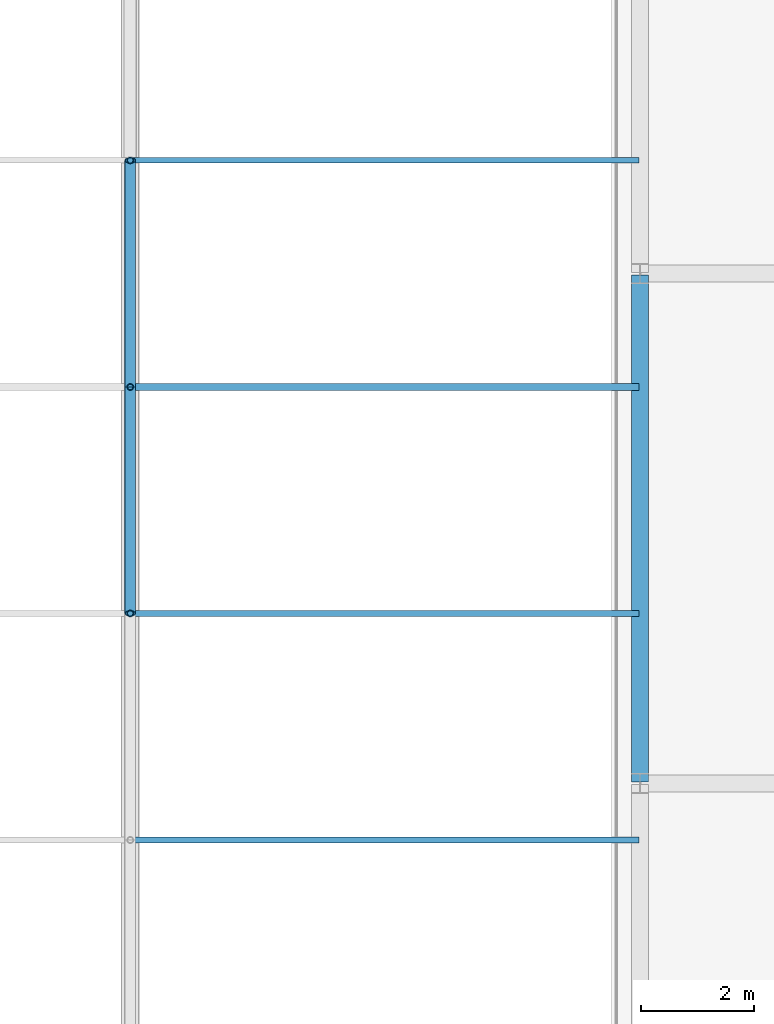
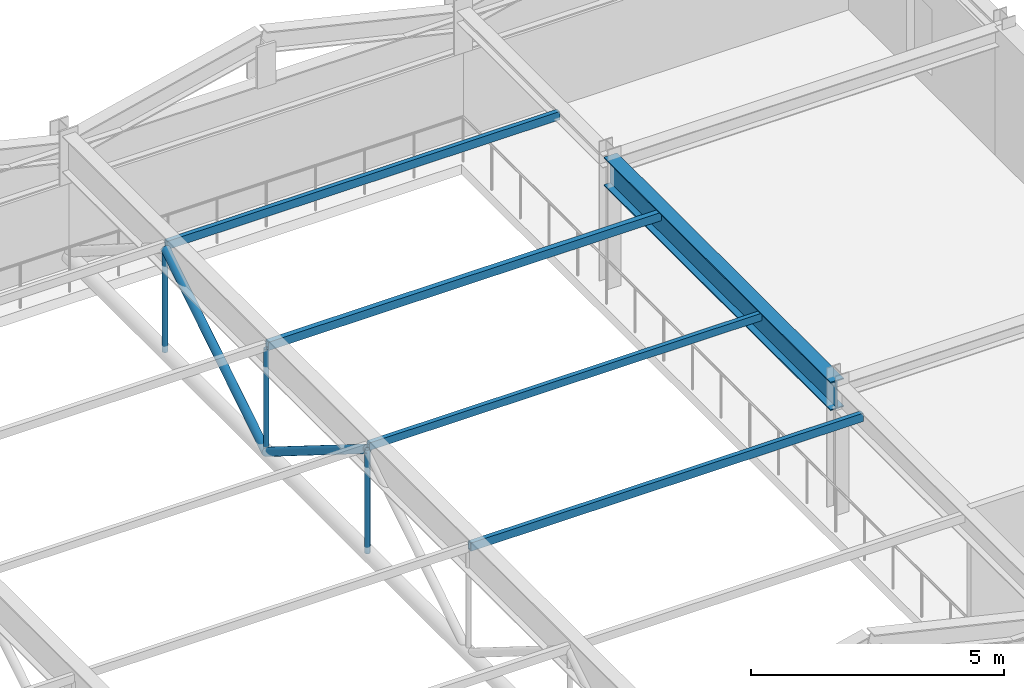
# One storey, part 40 of 91: 9 members, 1 beam.
"""IFC4 building model written with IfcOpenShell, lengths in metres."""

from ifc_helpers import new_model, si_unit, direction, frame, origin, origin_2d, place, context, subcontext, project, spatial, hollow_rectangle, hollow_circle, i_section, extrude, material, material_profile, profile_set, type_object, element, save


model = new_model("IFC4")

# Units and contexts
model_context = context("Model", 3, precision=1e-05, world=origin(), true_north=direction((0.0, 1.0)))
body_context = subcontext(model_context, "Body", "Model", "MODEL_VIEW")
ifc_project = project(units=[si_unit("LENGTHUNIT", "METRE"), si_unit("AREAUNIT", "SQUARE_METRE"), si_unit("VOLUMEUNIT", "CUBIC_METRE"), si_unit("PLANEANGLEUNIT", "RADIAN"), si_unit("MASSUNIT", "GRAM", prefix="KILO")], contexts=[model_context])

# Site, building, storey
site_placement = place(None, origin())
site = spatial("IfcSite", under=ifc_project, at=site_placement, CompositionType="ELEMENT")
building_placement = place(site_placement, origin())
building = spatial("IfcBuilding", under=site, at=building_placement, Name="Palais des Congres Ocreval", CompositionType="ELEMENT")
storey_placement = place(building_placement, frame((0.0, 0.0, 8.159912109375)))
storey = spatial("IfcBuildingStorey", under=building, at=storey_placement, Name="L02", CompositionType="ELEMENT", Elevation=8.159912109375)

# Members
ifc_material = material(Name="Steel S355", Category="steel")
ifc_material_profile_1 = material_profile(ifc_material, hollow_circle(Radius=0.096923828125, WallThickness=0.010009765625, at=origin_2d()), Name="CHS 193.7x10")
ifc_profile_set_1 = profile_set([ifc_material_profile_1], Name="Steel S355")
member_type_1 = type_object("IfcMemberType", Name="Diagonal Brace CHS 193.7x10 Steel S355", PredefinedType="BRACE", material=ifc_profile_set_1)
for number, where, z_axis, x_axis, name in (
    (1, (36.0, 102.0, 2.7900390625), (0.0, 0.847998304005, -0.529998940003), (-1.0, 0.0, 0.0), "ROOF TRUSS Diagonal V1-36-4"),
    (2, (36.0, 106.0, 0.2900390625), (0.0, 0.847998304005, 0.529998940003), (-1.0, 0.0, 0.0), "ROOF TRUSS Diagonal V1-36-5"),
):
    element("IfcMember", number, at=place(storey_placement, frame(where, z_axis=z_axis, x_axis=x_axis)), inside=storey, type_object=member_type_1, Name=name, PredefinedType="BRACE", context=body_context, shape_type="SweptSolid", body=[
        extrude(hollow_circle(Radius=0.096923828125, WallThickness=0.010009765625, at=origin_2d()), origin(), (0.0, 0.0, 1.0), 4.717041015625),
    ])

# Beam
ifc_material_profile_2 = material_profile(ifc_material, i_section(OverallWidth=0.300048828125, OverallDepth=0.68994140625, WebThickness=0.014404296875, FlangeThickness=0.027099609375, at=origin_2d()), Name="HEA 700")
ifc_profile_set_2 = profile_set([ifc_material_profile_2], Name="Steel S355")
beam_type = type_object("IfcBeamType", Name="Primary Girder HEA 700 Steel S355", PredefinedType="BEAM", material=ifc_profile_set_2)
beam_placement = place(storey_placement, frame((45.0, 99.02001953125, 2.755126953125), z_axis=(0.0, 1.0, 0.0), x_axis=(-1.0, 0.0, 0.0)))
element("IfcBeam", 3, at=beam_placement, inside=storey, type_object=beam_type, Name="Girder B14 L02", PredefinedType="BEAM", context=body_context, shape_type="SweptSolid", body=[
    extrude(i_section(OverallWidth=0.300048828125, OverallDepth=0.68994140625, WebThickness=0.014404296875, FlangeThickness=0.027099609375, at=origin_2d()), origin(), (0.0, 0.0, 1.0), 8.9599609375),
])

# Members
ifc_material_profile_3 = material_profile(ifc_material, hollow_rectangle(XDim=0.10009765625, YDim=0.179931640625, WallThickness=0.008056640625, at=origin_2d()), Name="RHS 180x100x8")
ifc_profile_set_3 = profile_set([ifc_material_profile_3], Name="Steel S355")
member_type_2 = type_object("IfcMemberType", Name="Roof Purlin RHS 180x100x8 Steel S355", PredefinedType="PURLIN", material=ifc_profile_set_3)
member_1_placement = place(storey_placement, frame((36.02001953125, 102.0, 2.860107421875), z_axis=(1.0, 0.0, 0.0), x_axis=(0.0, 1.0, 0.0)))
element("IfcMember", 4, at=member_1_placement, inside=storey, type_object=member_type_2, Name="Roof Purlin PU03 V1", PredefinedType="PURLIN", context=body_context, shape_type="SweptSolid", body=[
    extrude(hollow_rectangle(XDim=0.10009765625, YDim=0.179931640625, WallThickness=0.008056640625, at=origin_2d()), origin(), (0.0, 0.0, 1.0), 8.9599609375),
])
ifc_material_profile_4 = material_profile(ifc_material, hollow_rectangle(XDim=0.10009765625, YDim=0.199951171875, WallThickness=0.010009765625, at=origin_2d()), Name="RHS 200x100x10")
ifc_profile_set_4 = profile_set([ifc_material_profile_4], Name="Steel S355")
member_type_3 = type_object("IfcMemberType", Name="Roof Purlin RHS 200x100x10 Steel S355", PredefinedType="PURLIN", material=ifc_profile_set_4)
for number, where, z_axis, x_axis, name in (
    (5, (36.02001953125, 98.0, 2.860107421875), (1.0, 0.0, 0.0), (0.0, 1.0, 0.0), "Roof Purlin PU02 V1"),
    (6, (36.02001953125, 110.0, 2.860107421875), (1.0, 0.0, 0.0), (0.0, 1.0, 0.0), "Roof Purlin PU02 V1"),
):
    element("IfcMember", number, at=place(storey_placement, frame(where, z_axis=z_axis, x_axis=x_axis)), inside=storey, type_object=member_type_3, Name=name, PredefinedType="PURLIN", context=body_context, shape_type="SweptSolid", body=[
        extrude(hollow_rectangle(XDim=0.10009765625, YDim=0.199951171875, WallThickness=0.010009765625, at=origin_2d()), origin(), (0.0, 0.0, 1.0), 8.9599609375),
    ])
ifc_material_profile_5 = material_profile(ifc_material, hollow_rectangle(XDim=0.1201171875, YDim=0.199951171875, WallThickness=0.010009765625, at=origin_2d()), Name="RHS 200x120x10")
ifc_profile_set_5 = profile_set([ifc_material_profile_5], Name="Steel S355")
member_type_4 = type_object("IfcMemberType", Name="Roof Purlin RHS 200x120x10 Steel S355", PredefinedType="PURLIN", material=ifc_profile_set_5)
member_2_placement = place(storey_placement, frame((36.02001953125, 106.0, 2.860107421875), z_axis=(1.0, 0.0, 0.0), x_axis=(0.0, 1.0, 0.0)))
element("IfcMember", 7, at=member_2_placement, inside=storey, type_object=member_type_4, Name="Roof Purlin PU01 V1", PredefinedType="PURLIN", context=body_context, shape_type="SweptSolid", body=[
    extrude(hollow_rectangle(XDim=0.1201171875, YDim=0.199951171875, WallThickness=0.010009765625, at=origin_2d()), origin(), (0.0, 0.0, 1.0), 8.9599609375),
])
ifc_material_profile_6 = material_profile(ifc_material, hollow_circle(Radius=0.05712890625, WallThickness=0.00634765625, at=origin_2d()), Name="CHS 114.3x6.3")
ifc_profile_set_6 = profile_set([ifc_material_profile_6], Name="Steel S355")
member_type_5 = type_object("IfcMemberType", Name="Truss Strut CHS 114.3x6.3 Steel S355", PredefinedType="STRUT", material=ifc_profile_set_6)
for number, where, z_axis, x_axis, name in (
    (8, (36.0, 102.0, 0.2900390625), (0.0, 0.0, 1.0), (1.0, 0.0, 0.0), "ROOF TRUSS Vertical Strut V1-36-3"),
    (9, (36.0, 106.0, 0.2900390625), (0.0, 0.0, 1.0), (1.0, 0.0, 0.0), "ROOF TRUSS Vertical Strut V1-36-4"),
    (10, (36.0, 110.0, 0.2900390625), (0.0, 0.0, 1.0), (1.0, 0.0, 0.0), "ROOF TRUSS Vertical Strut V1-36-5"),
):
    element("IfcMember", number, at=place(storey_placement, frame(where, z_axis=z_axis, x_axis=x_axis)), inside=storey, type_object=member_type_5, Name=name, PredefinedType="STRUT", context=body_context, shape_type="SweptSolid", body=[
        extrude(hollow_circle(Radius=0.05712890625, WallThickness=0.00634765625, at=origin_2d()), origin(), (0.0, 0.0, 1.0), 2.5),
    ])

save(model, "model.ifc")
